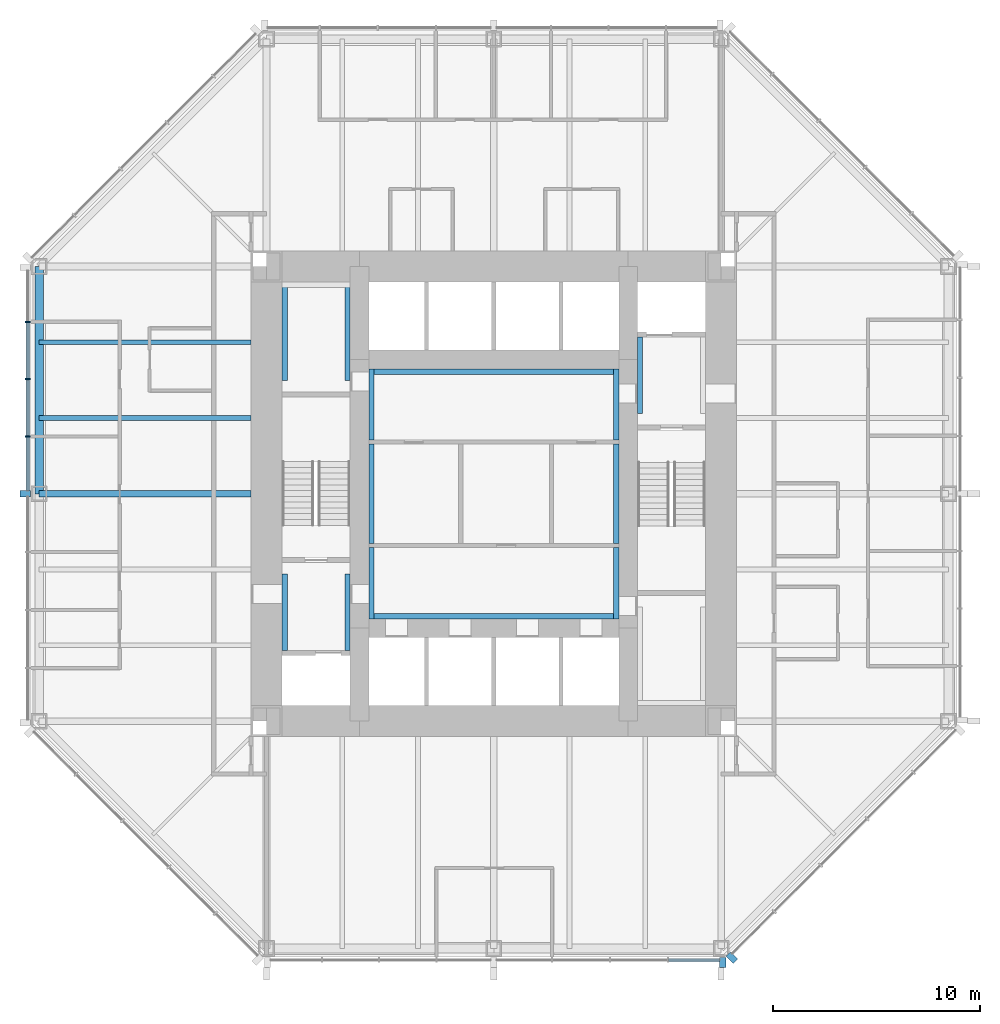
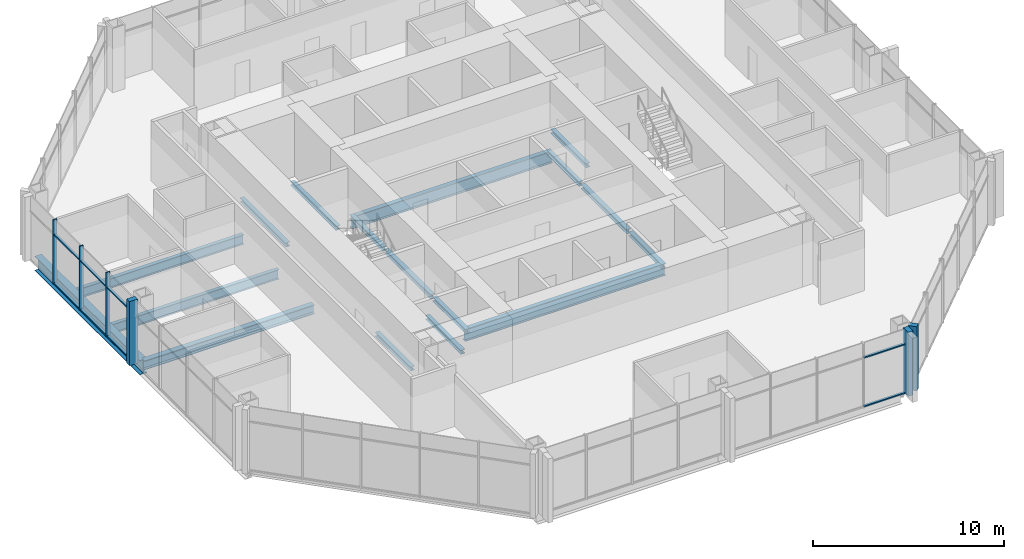
# One storey, part 3 of 12: 17 beams, 14 members, 3 elements without a shape of their own.
"""IFC4 building model written with IfcOpenShell, lengths in metres."""

import ifcopenshell
import ifcopenshell.guid

model = None  # the IFC model being written
_history = None  # IfcOwnerHistory: only IFC2X3 demands one
_inside = {}  # id of a spatial element -> (the spatial element, [elements in it])
_under = {}  # id of a project, library or spatial element -> (it, [spatial elements below it])
_declared = {}  # id of a project -> (the project, [libraries it declares])
_typed = {}  # id of a type object -> (the type object, [elements of that type])
_made_of = {}  # id of a material, layer set ... -> (it, [elements and type objects made of it])


def new_model(schema):
    """Start an empty IFC model of exactly this schema.

    Asked for "IFC4X3", IfcOpenShell would pick the latest addendum, in which some entities
    have other attributes; the version numbers below select the first issue.
    IFC2X3 requires an IfcOwnerHistory on every rooted entity: one is made here for all.
    """
    global model, _history
    if schema == "IFC4X3":
        model = ifcopenshell.file(schema_version=(4, 3, 0, 0))
    else:
        model = ifcopenshell.file(schema=schema)
    _inside.clear()
    _under.clear()
    _declared.clear()
    _typed.clear()
    _made_of.clear()
    _history = None
    if model.schema == "IFC2X3":
        org = make("IfcOrganization", Name="unknown")
        user = make(
            "IfcPersonAndOrganization",
            ThePerson=make("IfcPerson", FamilyName="unknown"),
            TheOrganization=org,
        )
        app = make(
            "IfcApplication",
            ApplicationDeveloper=org,
            Version="unknown",
            ApplicationFullName="unknown",
            ApplicationIdentifier="unknown",
        )
        _history = make(
            "IfcOwnerHistory",
            OwningUser=user,
            OwningApplication=app,
            ChangeAction="ADDED",
            CreationDate=0,
        )
    return model


def make(cls, **values):
    """One entity of the class cls with the attributes given. An attribute that is None is left unset."""
    return model.create_entity(
        cls, **{name: value for name, value in values.items() if value is not None}
    )


def rooted(cls, **values):
    """An entity with a GlobalId (a new one), such as an element, a storey or a relation."""
    return make(cls, GlobalId=ifcopenshell.guid.new(), OwnerHistory=_history, **values)


def si_unit(unit_type, name, prefix=None):
    """IfcSIUnit, for example si_unit("LENGTHUNIT", "METRE", prefix="MILLI")."""
    return make("IfcSIUnit", UnitType=unit_type, Prefix=prefix, Name=name)


def assignment(units):
    """IfcUnitAssignment: the units of a project."""
    return None if units is None else make("IfcUnitAssignment", Units=units)


def point(xyz):
    """IfcCartesianPoint."""
    return None if xyz is None else make("IfcCartesianPoint", Coordinates=xyz)


def direction(xyz):
    """IfcDirection."""
    return None if xyz is None else make("IfcDirection", DirectionRatios=xyz)


def frame(location, z_axis=None, x_axis=None):
    """IfcAxis2Placement3D, a coordinate frame: its origin and axes. An axis left out is left unset."""
    return make(
        "IfcAxis2Placement3D",
        Location=point(location),
        Axis=direction(z_axis),
        RefDirection=direction(x_axis),
    )


def frame_2d(location, x_axis=None):
    """IfcAxis2Placement2D, a coordinate frame in the plane: its origin and x axis."""
    return make(
        "IfcAxis2Placement2D", Location=point(location), RefDirection=direction(x_axis)
    )


def origin():
    """The frame at (0, 0, 0) with its axes left unset."""
    return frame((0.0, 0.0, 0.0))


def origin_2d():
    """The frame at (0, 0) in the plane with its x axis left unset."""
    return frame_2d((0.0, 0.0))


def place(relative_to, where):
    """IfcLocalPlacement: puts the frame where relative to a parent placement (None: the world)."""
    return make(
        "IfcLocalPlacement", PlacementRelTo=relative_to, RelativePlacement=where
    )


def context(
    kind, dimensions, precision=None, world=None, true_north=None, identifier=None
):
    """IfcGeometricRepresentationContext, for example the 3D "Model" context."""
    return make(
        "IfcGeometricRepresentationContext",
        ContextIdentifier=identifier,
        ContextType=kind,
        CoordinateSpaceDimension=dimensions,
        Precision=precision,
        WorldCoordinateSystem=world,
        TrueNorth=true_north,
    )


def subcontext(parent, identifier, kind, view, scale=None):
    """IfcGeometricRepresentationSubContext, for example "Body" below "Model"."""
    return make(
        "IfcGeometricRepresentationSubContext",
        ContextIdentifier=identifier,
        ContextType=kind,
        ParentContext=parent,
        TargetScale=scale,
        TargetView=view,
    )


def project(units=None, contexts=None):
    """IfcProject with its units and contexts."""
    return rooted(
        "IfcProject",
        Name="project",
        RepresentationContexts=contexts,
        UnitsInContext=assignment(units),
    )


def spatial(cls, under=None, at=None, **own):
    """A site, building, storey or space (cls), placed at a placement, below another one or the project."""
    s = rooted(cls, ObjectPlacement=at, **own)
    if under is not None:
        _under.setdefault(under.id(), (under, []))[1].append(s)
    return s


def profile(cls, at=None, kind="AREA", **sizes):
    """A parametric profile (cls). Its sizes go by their IFC names, for example OverallWidth=200.0."""
    return make(cls, ProfileType=kind, Position=at, **sizes)


def rectangle(**sizes):
    """IfcRectangleProfileDef."""
    return profile("IfcRectangleProfileDef", **sizes)


def i_section(**sizes):
    """IfcIShapeProfileDef."""
    return profile("IfcIShapeProfileDef", **sizes)


def extrude(swept, where, along, depth):
    """IfcExtrudedAreaSolid: the profile swept, set in the frame where, extruded along a direction by depth."""
    return make(
        "IfcExtrudedAreaSolid",
        SweptArea=swept,
        Position=where,
        ExtrudedDirection=direction(along),
        Depth=depth,
    )


def shape(context_of_items, identifier, shape_type, items):
    """IfcShapeRepresentation: the items that make up one representation, for example the "Body"."""
    return make(
        "IfcShapeRepresentation",
        ContextOfItems=context_of_items,
        RepresentationIdentifier=identifier,
        RepresentationType=shape_type,
        Items=items,
    )


def material(Name=None, Category=None):
    """IfcMaterial."""
    return make("IfcMaterial", Name=Name, Category=Category)


def material_profile(
    of_material, cross_section, Name=None, Category=None, Priority=None
):
    """IfcMaterialProfile: a cross section and its material."""
    return make(
        "IfcMaterialProfile",
        Name=Name,
        Material=of_material,
        Profile=cross_section,
        Priority=Priority,
        Category=Category,
    )


def profile_set(profiles, Name=None, composite=None):
    """IfcMaterialProfileSet."""
    return make(
        "IfcMaterialProfileSet",
        Name=Name,
        MaterialProfiles=profiles,
        CompositeProfile=composite,
    )


def made_of(thing, what):
    """Note that an element or type object is made of a material, layer set ...; save() writes the relation."""
    if what is not None:
        _made_of.setdefault(what.id(), (what, []))[1].append(thing)
    return thing


def type_object(cls, material=None, **own):
    """A type object (cls), such as IfcWallType, which elements share."""
    return made_of(rooted(cls, **own), material)


def element(
    cls,
    number,
    at=None,
    inside=None,
    cuts=None,
    type_object=None,
    material=None,
    context=None,
    identifier="Body",
    shape_type=None,
    held_by="IfcProductDefinitionShape",
    body=None,
    shapes=None,
    **own,
):
    """One element of the class cls, such as IfcWall. Its Tag is "e" and its number.

    at: its placement. inside: the storey or other place that contains it. cuts: it is an
    opening in that element (IfcRelVoidsElement). A single representation is given by context,
    identifier, shape_type and body (its items); several are given by shapes. held_by: the class
    of the entity that holds the representations. save() writes the other relations.
    """
    e = rooted(cls, Tag="e%d" % number, ObjectPlacement=at, **own)
    if body is not None:
        shapes = [shape(context, identifier, shape_type, body)]
    if shapes is not None:
        e.Representation = make(held_by, Representations=shapes)
    if inside is not None:
        _inside.setdefault(inside.id(), (inside, []))[1].append(e)
    if cuts is not None:
        rooted(
            "IfcRelVoidsElement", RelatingBuildingElement=cuts, RelatedOpeningElement=e
        )
    if type_object is not None:
        _typed.setdefault(type_object.id(), (type_object, []))[1].append(e)
    return made_of(e, material)


def aggregate(whole, parts):
    """IfcRelAggregates: a whole, such as a stair, and the parts it consists of."""
    return rooted("IfcRelAggregates", RelatingObject=whole, RelatedObjects=parts)


def save(model, path):
    """Write the relations noted so far, then the file.

    IfcRelAggregates (storeys below a building ...), IfcRelContainedInSpatialStructure (elements
    in a storey), IfcRelDefinesByType, IfcRelAssociatesMaterial and IfcRelDeclares: one each for
    every whole, place, type object, material and project.
    """
    for whole, parts in _under.values():
        aggregate(whole, parts)
    for where, things in _inside.values():
        rooted(
            "IfcRelContainedInSpatialStructure",
            RelatedElements=things,
            RelatingStructure=where,
        )
    for kind, things in _typed.values():
        rooted("IfcRelDefinesByType", RelatedObjects=things, RelatingType=kind)
    for what, things in _made_of.values():
        rooted("IfcRelAssociatesMaterial", RelatedObjects=things, RelatingMaterial=what)
    for by, libraries in _declared.values():
        rooted("IfcRelDeclares", RelatingContext=by, RelatedDefinitions=libraries)
    model.write(path)


model = new_model("IFC4")

# Units and contexts
model_context = context("Model", 3, precision=1e-05, world=origin(), true_north=direction((0.0, 1.0)))
body_context = subcontext(model_context, "Body", "Model", "MODEL_VIEW")
ifc_project = project(units=[si_unit("LENGTHUNIT", "METRE"), si_unit("AREAUNIT", "SQUARE_METRE"), si_unit("VOLUMEUNIT", "CUBIC_METRE"), si_unit("PLANEANGLEUNIT", "RADIAN"), si_unit("MASSUNIT", "GRAM", prefix="KILO")], contexts=[model_context])

# Site, building, storey
site_placement = place(None, origin())
site = spatial("IfcSite", under=ifc_project, at=site_placement, CompositionType="ELEMENT")
building_placement = place(site_placement, origin())
building = spatial("IfcBuilding", under=site, at=building_placement, Name="Trevanion Tower", CompositionType="ELEMENT")
storey_placement = place(building_placement, frame((0.0, 0.0, 125.39990234375)))
storey = spatial("IfcBuildingStorey", under=building, at=storey_placement, Name="L29", CompositionType="ELEMENT", Elevation=125.39990234375)

# Beams
ifc_material_1 = material(Name="Steel ASTM A992 Grade 50", Category="steel")
ifc_material_profile_1 = material_profile(ifc_material_1, i_section(OverallWidth=0.22900390625, OverallDepth=0.612060546875, WebThickness=0.011962890625, FlangeThickness=0.01953125, at=origin_2d()), Name="W24X84")
ifc_profile_set_1 = profile_set([ifc_material_profile_1], Name="Steel ASTM A992 Grade 50")
beam_type_1 = type_object("IfcBeamType", Name="B7 W24X84", PredefinedType="BEAM", material=ifc_profile_set_1)
for number, where, z_axis, x_axis, name in (
    (1, (-11.75, 7.333251953125, -0.49609375), (-1.0, 0.0, 0.0), (0.0, -1.0, 0.0), "B7 L29"),
    (2, (-11.75, 3.666748046875, -0.49609375), (-1.0, 0.0, 0.0), (0.0, -1.0, 0.0), "B7 L29"),
):
    element("IfcBeam", number, at=place(storey_placement, frame(where, z_axis=z_axis, x_axis=x_axis)), inside=storey, type_object=beam_type_1, Name=name, PredefinedType="BEAM", context=body_context, shape_type="SweptSolid", body=[
        extrude(i_section(OverallWidth=0.22900390625, OverallDepth=0.612060546875, WebThickness=0.011962890625, FlangeThickness=0.01953125, at=origin_2d()), origin(), (0.0, 0.0, 1.0), 10.25),
    ])

# Curtain wall, members
ifc_material_2 = material(Name="Aluminium and glass", Category="aluminium")
curtain_wall_type = type_object("IfcCurtainWallType", Name="CW2 curtain wall", PredefinedType="USERDEFINED", material=ifc_material_2)
curtain_wall_1_placement = place(storey_placement, origin())
curtain_wall_1 = element("IfcCurtainWall", 3, at=curtain_wall_1_placement, inside=storey, type_object=curtain_wall_type, Name="CW2 L29 4", ObjectType="UNITISED CURTAIN WALL", PredefinedType="USERDEFINED")
ifc_material_3 = material(Name="Aluminium extrusion, anodised bronze", Category="aluminium")
ifc_material_profile_2 = material_profile(ifc_material_3, rectangle(XDim=0.074951171875, YDim=0.25, at=origin_2d()), Name="CW2 mullion")
ifc_profile_set_2 = profile_set([ifc_material_profile_2], Name="Aluminium extrusion, anodised bronze")
member_type_1 = type_object("IfcMemberType", Name="CW2 mullion", PredefinedType="MULLION", material=ifc_profile_set_2)
member_1_placement = place(storey_placement, frame((-22.550048828125, 8.323486328125, -0.18994140625), z_axis=(0.0, 0.0, 1.0), x_axis=(0.0, -1.0, 0.0)))
member_1 = element("IfcMember", 4, at=member_1_placement, type_object=member_type_1, Name="CW2 mullion 2", PredefinedType="MULLION", context=body_context, shape_type="SweptSolid", body=[
    extrude(rectangle(XDim=0.074951171875, YDim=0.25, at=origin_2d()), origin(), (0.0, 0.0, 1.0), 4.10009765625),
])
member_2_placement = place(storey_placement, frame((-22.550048828125, 5.548828125, -0.18994140625), z_axis=(0.0, 0.0, 1.0), x_axis=(0.0, -1.0, 0.0)))
member_2 = element("IfcMember", 5, at=member_2_placement, type_object=member_type_1, Name="CW2 mullion 3", PredefinedType="MULLION", context=body_context, shape_type="SweptSolid", body=[
    extrude(rectangle(XDim=0.074951171875, YDim=0.25, at=origin_2d()), origin(), (0.0, 0.0, 1.0), 4.10009765625),
])
member_3_placement = place(storey_placement, frame((-22.550048828125, 2.7744140625, -0.18994140625), z_axis=(0.0, 0.0, 1.0), x_axis=(0.0, -1.0, 0.0)))
member_3 = element("IfcMember", 6, at=member_3_placement, type_object=member_type_1, Name="CW2 mullion 4", PredefinedType="MULLION", context=body_context, shape_type="SweptSolid", body=[
    extrude(rectangle(XDim=0.074951171875, YDim=0.25, at=origin_2d()), origin(), (0.0, 0.0, 1.0), 4.10009765625),
])
ifc_material_4 = material(Name="Aluminium extrusion, anodised bronze", Category="aluminium")
ifc_material_profile_3 = material_profile(ifc_material_4, rectangle(XDim=0.300048828125, YDim=0.5, at=origin_2d()), Name="CW2 pier mullion")
ifc_profile_set_3 = profile_set([ifc_material_profile_3], Name="Aluminium extrusion, anodised bronze")
member_type_2 = type_object("IfcMemberType", Name="CW2 pier mullion", PredefinedType="MULLION", material=ifc_profile_set_3)
member_4_placement = place(storey_placement, frame((-22.675048828125, 0.0, -0.18994140625), z_axis=(0.0, 0.0, 1.0), x_axis=(0.0, -1.0, 0.0)))
member_4 = element("IfcMember", 7, at=member_4_placement, type_object=member_type_2, Name="CW2 pier mullion 5", PredefinedType="MULLION", context=body_context, shape_type="SweptSolid", body=[
    extrude(rectangle(XDim=0.300048828125, YDim=0.5, at=origin_2d()), origin(), (0.0, 0.0, 1.0), 4.10009765625),
])

# Curtain wall, member
curtain_wall_2_placement = place(storey_placement, origin())
curtain_wall_2 = element("IfcCurtainWall", 8, at=curtain_wall_2_placement, inside=storey, type_object=curtain_wall_type, Name="CW2 L29 6", ObjectType="UNITISED CURTAIN WALL", PredefinedType="USERDEFINED")
member_5_placement = place(storey_placement, frame((11.077880859375, -22.675048828125, -0.18994140625), z_axis=(0.0, 0.0, 1.0), x_axis=(1.0, 0.0, 0.0)))
member_5 = element("IfcMember", 9, at=member_5_placement, type_object=member_type_2, Name="CW2 pier mullion 9", PredefinedType="MULLION", context=body_context, shape_type="SweptSolid", body=[
    extrude(rectangle(XDim=0.300048828125, YDim=0.5, at=origin_2d()), origin(), (0.0, 0.0, 1.0), 4.10009765625),
])

curtain_wall_3_placement = place(storey_placement, origin())
curtain_wall_3 = element("IfcCurtainWall", 10, at=curtain_wall_3_placement, inside=storey, type_object=curtain_wall_type, Name="CW2 L29 7", ObjectType="UNITISED CURTAIN WALL", PredefinedType="USERDEFINED")
member_6_placement = place(storey_placement, frame((11.51416015625, -22.4404296875, -0.18994140625), z_axis=(0.0, 0.0, 1.0), x_axis=(0.707106781187, 0.707106781187, 0.0)))
member_6 = element("IfcMember", 11, at=member_6_placement, type_object=member_type_2, Name="CW2 pier mullion 1", PredefinedType="MULLION", context=body_context, shape_type="SweptSolid", body=[
    extrude(rectangle(XDim=0.300048828125, YDim=0.5, at=origin_2d()), origin(), (0.0, 0.0, 1.0), 4.10009765625),
])
aggregate(curtain_wall_3, [member_6])

# Member
ifc_material_5 = material(Name="Aluminium extrusion, anodised bronze", Category="aluminium")
ifc_material_profile_4 = material_profile(ifc_material_5, rectangle(XDim=0.14990234375, YDim=0.074951171875, at=origin_2d()), Name="CW2 transom")
ifc_profile_set_4 = profile_set([ifc_material_profile_4], Name="Aluminium extrusion, anodised bronze")
member_type_3 = type_object("IfcMemberType", Name="CW2 transom", PredefinedType="USERDEFINED", material=ifc_profile_set_4)
member_7_placement = place(storey_placement, frame((-22.550048828125, 8.285888671875, -0.15234375), z_axis=(0.0, -1.0, 0.0), x_axis=(1.0, 0.0, 0.0)))
member_7 = element("IfcMember", 12, at=member_7_placement, type_object=member_type_3, Name="CW2 transom 2.1", ObjectType="TRANSOM", PredefinedType="USERDEFINED", context=body_context, shape_type="SweptSolid", body=[
    extrude(rectangle(XDim=0.14990234375, YDim=0.074951171875, at=origin_2d()), origin(), (0.0, 0.0, 1.0), 2.699462890625),
])

member_8_placement = place(storey_placement, frame((-22.550048828125, 8.285888671875, 2.960205078125), z_axis=(0.0, -1.0, 0.0), x_axis=(1.0, 0.0, 0.0)))
member_8 = element("IfcMember", 13, at=member_8_placement, type_object=member_type_3, Name="CW2 transom 2.2", ObjectType="TRANSOM", PredefinedType="USERDEFINED", context=body_context, shape_type="SweptSolid", body=[
    extrude(rectangle(XDim=0.14990234375, YDim=0.074951171875, at=origin_2d()), origin(), (0.0, 0.0, 1.0), 2.699462890625),
])

member_9_placement = place(storey_placement, frame((-22.550048828125, 5.511474609375, -0.15234375), z_axis=(0.0, -1.0, 0.0), x_axis=(1.0, 0.0, 0.0)))
member_9 = element("IfcMember", 14, at=member_9_placement, type_object=member_type_3, Name="CW2 transom 3.1", ObjectType="TRANSOM", PredefinedType="USERDEFINED", context=body_context, shape_type="SweptSolid", body=[
    extrude(rectangle(XDim=0.14990234375, YDim=0.074951171875, at=origin_2d()), origin(), (0.0, 0.0, 1.0), 2.699462890625),
])

member_10_placement = place(storey_placement, frame((-22.550048828125, 5.511474609375, 2.960205078125), z_axis=(0.0, -1.0, 0.0), x_axis=(1.0, 0.0, 0.0)))
member_10 = element("IfcMember", 15, at=member_10_placement, type_object=member_type_3, Name="CW2 transom 3.2", ObjectType="TRANSOM", PredefinedType="USERDEFINED", context=body_context, shape_type="SweptSolid", body=[
    extrude(rectangle(XDim=0.14990234375, YDim=0.074951171875, at=origin_2d()), origin(), (0.0, 0.0, 1.0), 2.699462890625),
])

member_11_placement = place(storey_placement, frame((-22.550048828125, 2.737060546875, -0.15234375), z_axis=(0.0, -1.0, 0.0), x_axis=(1.0, 0.0, 0.0)))
member_11 = element("IfcMember", 16, at=member_11_placement, type_object=member_type_3, Name="CW2 transom 4.1", ObjectType="TRANSOM", PredefinedType="USERDEFINED", context=body_context, shape_type="SweptSolid", body=[
    extrude(rectangle(XDim=0.14990234375, YDim=0.074951171875, at=origin_2d()), origin(), (0.0, 0.0, 1.0), 2.587158203125),
])

member_12_placement = place(storey_placement, frame((-22.550048828125, 2.737060546875, 2.960205078125), z_axis=(0.0, -1.0, 0.0), x_axis=(1.0, 0.0, 0.0)))
member_12 = element("IfcMember", 17, at=member_12_placement, type_object=member_type_3, Name="CW2 transom 4.2", ObjectType="TRANSOM", PredefinedType="USERDEFINED", context=body_context, shape_type="SweptSolid", body=[
    extrude(rectangle(XDim=0.14990234375, YDim=0.074951171875, at=origin_2d()), origin(), (0.0, 0.0, 1.0), 2.587158203125),
])

aggregate(curtain_wall_1, [member_1, member_2, member_3, member_4, member_7, member_8, member_9, member_10, member_11, member_12])

member_13_placement = place(storey_placement, frame((8.45849609375, -22.550048828125, -0.15234375), z_axis=(1.0, 0.0, 0.0), x_axis=(0.0, 1.0, 0.0)))
member_13 = element("IfcMember", 18, at=member_13_placement, type_object=member_type_3, Name="CW2 transom 8.1", ObjectType="TRANSOM", PredefinedType="USERDEFINED", context=body_context, shape_type="SweptSolid", body=[
    extrude(rectangle(XDim=0.14990234375, YDim=0.074951171875, at=origin_2d()), origin(), (0.0, 0.0, 1.0), 2.46923828125),
])

member_14_placement = place(storey_placement, frame((8.45849609375, -22.550048828125, 2.960205078125), z_axis=(1.0, 0.0, 0.0), x_axis=(0.0, 1.0, 0.0)))
member_14 = element("IfcMember", 19, at=member_14_placement, type_object=member_type_3, Name="CW2 transom 8.2", ObjectType="TRANSOM", PredefinedType="USERDEFINED", context=body_context, shape_type="SweptSolid", body=[
    extrude(rectangle(XDim=0.14990234375, YDim=0.074951171875, at=origin_2d()), origin(), (0.0, 0.0, 1.0), 2.46923828125),
])

aggregate(curtain_wall_2, [member_5, member_13, member_14])

# Beams
ifc_material_6 = material(Name="Steel ASTM A992 Grade 50", Category="steel")
ifc_material_profile_5 = material_profile(ifc_material_6, i_section(OverallWidth=0.320068359375, OverallDepth=0.584228515625, WebThickness=0.023193359375, FlangeThickness=0.04150390625, at=origin_2d()), Name="W21X201")
ifc_profile_set_5 = profile_set([ifc_material_profile_5], Name="Steel ASTM A992 Grade 50")
beam_type_2 = type_object("IfcBeamType", Name="G4 W21X201", PredefinedType="BEAM", material=ifc_profile_set_5)
beam_1_placement = place(storey_placement, frame((-11.75, 0.0, -0.48193359375), z_axis=(-1.0, 0.0, 0.0), x_axis=(0.0, -1.0, 0.0)))
element("IfcBeam", 20, at=beam_1_placement, inside=storey, type_object=beam_type_2, Name="G4 L29", PredefinedType="BEAM", context=body_context, shape_type="SweptSolid", body=[
    extrude(i_section(OverallWidth=0.320068359375, OverallDepth=0.584228515625, WebThickness=0.023193359375, FlangeThickness=0.04150390625, at=origin_2d()), origin(), (0.0, 0.0, 1.0), 10.25),
])
ifc_material_7 = material(Name="Steel ASTM A992 Grade 50", Category="steel")
ifc_material_profile_6 = material_profile(ifc_material_7, i_section(OverallWidth=0.256591796875, OverallDepth=0.26416015625, WebThickness=0.011962890625, FlangeThickness=0.01953125, at=origin_2d()), Name="W10X68")
ifc_profile_set_6 = profile_set([ifc_material_profile_6], Name="Steel ASTM A992 Grade 50")
beam_type_3 = type_object("IfcBeamType", Name="LB1 W10X68", PredefinedType="BEAM", material=ifc_profile_set_6)
for number, where, z_axis, x_axis, name in (
    (21, (-5.921630859375, 2.60009765625, -0.33203125), (0.0, 1.0, 0.0), (-1.0, 0.0, 0.0), "LB1 L29"),
    (22, (5.921630859375, 2.60009765625, -0.33203125), (0.0, 1.0, 0.0), (-1.0, 0.0, 0.0), "LB1 L29"),
    (23, (-5.921630859375, -6.050048828125, -0.33203125), (0.0, 1.0, 0.0), (-1.0, 0.0, 0.0), "LB1 L29"),
    (24, (5.921630859375, -6.050048828125, -0.33203125), (0.0, 1.0, 0.0), (-1.0, 0.0, 0.0), "LB1 L29"),
):
    element("IfcBeam", number, at=place(storey_placement, frame(where, z_axis=z_axis, x_axis=x_axis)), inside=storey, type_object=beam_type_3, Name=name, PredefinedType="BEAM", context=body_context, shape_type="SweptSolid", body=[
        extrude(i_section(OverallWidth=0.256591796875, OverallDepth=0.26416015625, WebThickness=0.011962890625, FlangeThickness=0.01953125, at=origin_2d()), origin(), (0.0, 0.0, 1.0), 3.449951171875),
    ])
for number, where, z_axis, x_axis, name in (
    (25, (7.078369140625, 3.875, -0.33203125), (0.0, 1.0, 0.0), (-1.0, 0.0, 0.0), "LB1 L29"),
    (26, (-10.12158203125, -7.574951171875, -0.33203125), (0.0, 1.0, 0.0), (-1.0, 0.0, 0.0), "LB1 L29"),
    (27, (-7.078369140625, -7.574951171875, -0.33203125), (0.0, 1.0, 0.0), (-1.0, 0.0, 0.0), "LB1 L29"),
):
    element("IfcBeam", number, at=place(storey_placement, frame(where, z_axis=z_axis, x_axis=x_axis)), inside=storey, type_object=beam_type_3, Name=name, PredefinedType="BEAM", context=body_context, shape_type="SweptSolid", body=[
        extrude(i_section(OverallWidth=0.256591796875, OverallDepth=0.26416015625, WebThickness=0.011962890625, FlangeThickness=0.01953125, at=origin_2d()), origin(), (0.0, 0.0, 1.0), 3.699951171875),
    ])
for number, where, z_axis, x_axis, name in (
    (28, (-10.12158203125, 5.47509765625, -0.33203125), (0.0, 1.0, 0.0), (-1.0, 0.0, 0.0), "LB1 L29"),
    (29, (-7.078369140625, 5.47509765625, -0.33203125), (0.0, 1.0, 0.0), (-1.0, 0.0, 0.0), "LB1 L29"),
):
    element("IfcBeam", number, at=place(storey_placement, frame(where, z_axis=z_axis, x_axis=x_axis)), inside=storey, type_object=beam_type_3, Name=name, PredefinedType="BEAM", context=body_context, shape_type="SweptSolid", body=[
        extrude(i_section(OverallWidth=0.256591796875, OverallDepth=0.26416015625, WebThickness=0.011962890625, FlangeThickness=0.01953125, at=origin_2d()), origin(), (0.0, 0.0, 1.0), 4.77490234375),
    ])
for number, where, z_axis, x_axis, name in (
    (30, (-5.921630859375, -2.39990234375, -0.33203125), (0.0, 1.0, 0.0), (-1.0, 0.0, 0.0), "LB1 L29"),
    (31, (5.921630859375, -2.39990234375, -0.33203125), (0.0, 1.0, 0.0), (-1.0, 0.0, 0.0), "LB1 L29"),
):
    element("IfcBeam", number, at=place(storey_placement, frame(where, z_axis=z_axis, x_axis=x_axis)), inside=storey, type_object=beam_type_3, Name=name, PredefinedType="BEAM", context=body_context, shape_type="SweptSolid", body=[
        extrude(i_section(OverallWidth=0.256591796875, OverallDepth=0.26416015625, WebThickness=0.011962890625, FlangeThickness=0.01953125, at=origin_2d()), origin(), (0.0, 0.0, 1.0), 4.7998046875),
    ])
ifc_material_8 = material(Name="Steel ASTM A992 Grade 50", Category="steel")
ifc_material_profile_7 = material_profile(ifc_material_8, i_section(OverallWidth=0.2666015625, OverallDepth=0.76953125, WebThickness=0.015625, FlangeThickness=0.025390625, at=origin_2d()), Name="W30X132")
ifc_profile_set_7 = profile_set([ifc_material_profile_7], Name="Steel ASTM A992 Grade 50")
beam_type_4 = type_object("IfcBeamType", Name="LB3 W30X132", PredefinedType="BEAM", material=ifc_profile_set_7)
for number, where, z_axis, x_axis, name in (
    (32, (-6.050048828125, 5.91650390625, -0.584716796875), (1.0, 0.0, 0.0), (0.0, 1.0, 0.0), "LB3 L29"),
    (33, (-6.050048828125, -5.91650390625, -0.584716796875), (1.0, 0.0, 0.0), (0.0, 1.0, 0.0), "LB3 L29"),
):
    element("IfcBeam", number, at=place(storey_placement, frame(where, z_axis=z_axis, x_axis=x_axis)), inside=storey, type_object=beam_type_4, Name=name, PredefinedType="BEAM", context=body_context, shape_type="SweptSolid", body=[
        extrude(i_section(OverallWidth=0.2666015625, OverallDepth=0.76953125, WebThickness=0.015625, FlangeThickness=0.025390625, at=origin_2d()), origin(), (0.0, 0.0, 1.0), 12.10009765625),
    ])
ifc_material_9 = material(Name="Steel ASTM A992 Grade 50", Category="steel")
ifc_material_profile_8 = material_profile(ifc_material_9, i_section(OverallWidth=0.419189453125, OverallDepth=0.927001953125, WebThickness=0.019287109375, FlangeThickness=0.031982421875, at=origin_2d()), Name="W36X231")
ifc_profile_set_8 = profile_set([ifc_material_profile_8], Name="Steel ASTM A992 Grade 50")
beam_type_5 = type_object("IfcBeamType", Name="SB4 W36X231", PredefinedType="SPANDREL", material=ifc_profile_set_8)
beam_2_placement = place(storey_placement, frame((-22.0, 11.0, -0.6533203125), z_axis=(0.0, -1.0, 0.0), x_axis=(1.0, 0.0, 0.0)))
element("IfcBeam", 34, at=beam_2_placement, inside=storey, type_object=beam_type_5, Name="SB4 L29", PredefinedType="SPANDREL", context=body_context, shape_type="SweptSolid", body=[
    extrude(i_section(OverallWidth=0.419189453125, OverallDepth=0.927001953125, WebThickness=0.019287109375, FlangeThickness=0.031982421875, at=origin_2d()), origin(), (0.0, 0.0, 1.0), 11.0),
])

save(model, "model.ifc")
